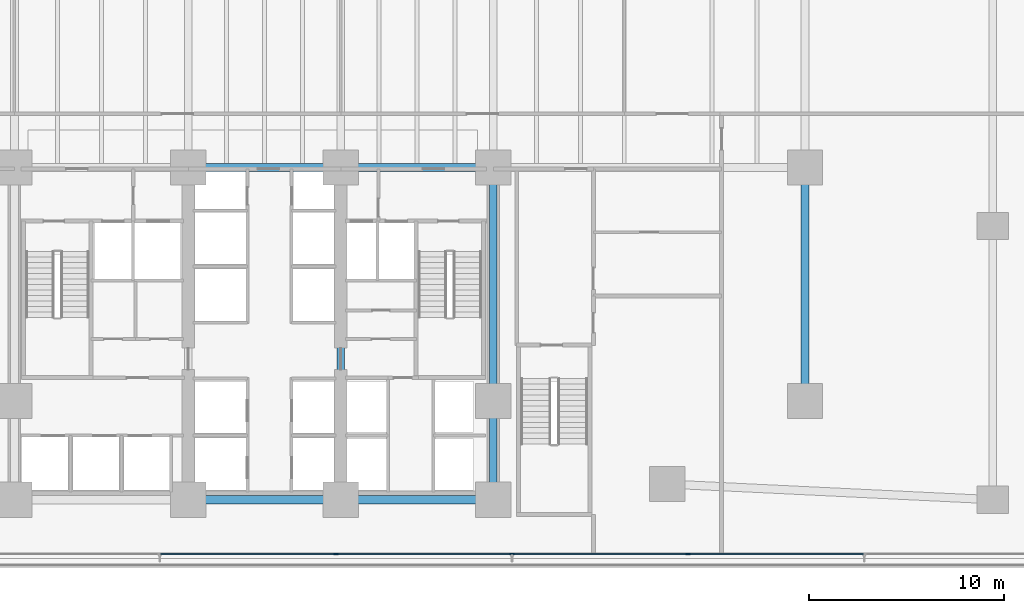
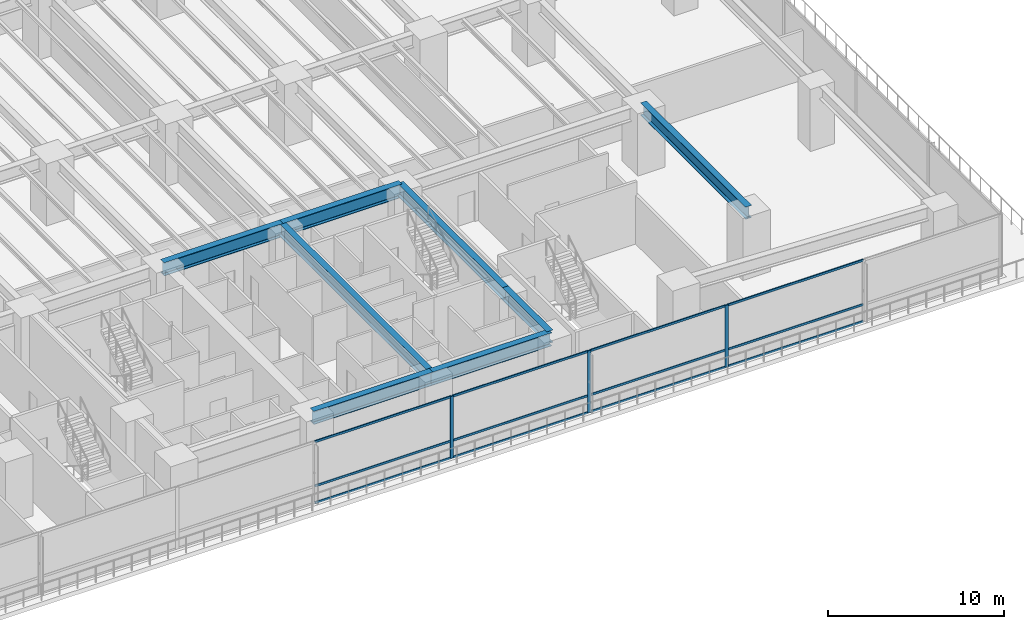
# One storey, part 3 of 28: 15 members, 8 beams, 1 element without a shape of its own.
"""IFC4 building model written with IfcOpenShell, lengths in metres."""

from ifc_helpers import new_model, si_unit, direction, frame, origin, origin_2d, place, context, subcontext, project, spatial, rectangle, i_section, extrude, material, layer, layer_set, material_profile, profile_set, type_object, element, aggregate, save


model = new_model("IFC4")

# Units and contexts
model_context = context("Model", 3, precision=1e-05, world=origin(), true_north=direction((0.0, 1.0)))
body_context = subcontext(model_context, "Body", "Model", "MODEL_VIEW")
ifc_project = project(units=[si_unit("LENGTHUNIT", "METRE"), si_unit("AREAUNIT", "SQUARE_METRE"), si_unit("VOLUMEUNIT", "CUBIC_METRE"), si_unit("PLANEANGLEUNIT", "RADIAN"), si_unit("MASSUNIT", "GRAM", prefix="KILO")], contexts=[model_context])

# Site, building, storey
site_placement = place(None, origin())
site = spatial("IfcSite", under=ifc_project, at=site_placement, CompositionType="ELEMENT")
building_placement = place(site_placement, origin())
building = spatial("IfcBuilding", under=site, at=building_placement, Name="Qalmaran Belvedere Hotel", CompositionType="ELEMENT")
storey_placement = place(building_placement, frame((0.0, 0.0, 10.0)))
storey = spatial("IfcBuildingStorey", under=building, at=storey_placement, Name="L02", CompositionType="ELEMENT", Elevation=10.0)

# Beams
ifc_material_1 = material(Name="Steel S355JR", Category="steel")
ifc_material_profile_1 = material_profile(ifc_material_1, i_section(OverallWidth=0.419921875, OverallDepth=0.9208984375, WebThickness=0.021240234375, FlangeThickness=0.03662109375, FilletRadius=0.02392578125, at=origin_2d()), Name="W920X387")
ifc_profile_set_1 = profile_set([ifc_material_profile_1], Name="Steel S355JR")
beam_type_1 = type_object("IfcBeamType", Name="BM-PG1-W920X387", PredefinedType="USERDEFINED", material=ifc_profile_set_1)
for number, where, z_axis, x_axis, name in (
    (1, (29.199951171875, 3.5, 3.839599609375), (1.0, 0.0, 0.0), (0.0, 1.0, 0.0), "L02 Podium Primary Girder GX03"),
    (2, (37.0, 3.5, 3.839599609375), (1.0, 0.0, 0.0), (0.0, 1.0, 0.0), "L02 Podium Primary Girder GX04"),
    (3, (29.199951171875, 20.5, 3.839599609375), (1.0, 0.0, 0.0), (0.0, 1.0, 0.0), "L02 Podium Primary Girder GX11"),
    (4, (37.0, 20.5, 3.839599609375), (1.0, 0.0, 0.0), (0.0, 1.0, 0.0), "L02 Podium Primary Girder GX12"),
):
    element("IfcBeam", number, at=place(storey_placement, frame(where, z_axis=z_axis, x_axis=x_axis)), inside=storey, type_object=beam_type_1, Name=name, ObjectType="GIRDER", PredefinedType="USERDEFINED", context=body_context, shape_type="SweptSolid", body=[
        extrude(i_section(OverallWidth=0.419921875, OverallDepth=0.9208984375, WebThickness=0.021240234375, FlangeThickness=0.03662109375, FilletRadius=0.02392578125, at=origin_2d()), origin(), (0.0, 0.0, 1.0), 7.800048828125),
    ])
ifc_material_profile_2 = material_profile(ifc_material_1, i_section(OverallWidth=0.39990234375, OverallDepth=0.85498046875, WebThickness=0.018310546875, FlangeThickness=0.029296875, FilletRadius=0.02392578125, at=origin_2d()), Name="W840X299")
ifc_profile_set_2 = profile_set([ifc_material_profile_2], Name="Steel S355JR")
beam_type_2 = type_object("IfcBeamType", Name="BM-PG3-W840X299", PredefinedType="USERDEFINED", material=ifc_profile_set_2)
beam_1_placement = place(storey_placement, frame((37.0, 3.5, 3.87255859375), z_axis=(0.0, 1.0, 0.0), x_axis=(-1.0, 0.0, 0.0)))
element("IfcBeam", 5, at=beam_1_placement, inside=storey, type_object=beam_type_2, Name="L02 Podium Transverse Girder GY40", ObjectType="GIRDER", PredefinedType="USERDEFINED", context=body_context, shape_type="SweptSolid", body=[
    extrude(i_section(OverallWidth=0.39990234375, OverallDepth=0.85498046875, WebThickness=0.018310546875, FlangeThickness=0.029296875, FilletRadius=0.02392578125, at=origin_2d()), origin(), (0.0, 0.0, 1.0), 17.0),
])
beam_2_placement = place(storey_placement, frame((44.800048828125, 3.5, 3.87255859375), z_axis=(0.0, 1.0, 0.0), x_axis=(-1.0, 0.0, 0.0)))
element("IfcBeam", 6, at=beam_2_placement, inside=storey, type_object=beam_type_2, Name="L02 Podium Transverse Girder GY43", ObjectType="GIRDER", PredefinedType="USERDEFINED", context=body_context, shape_type="SweptSolid", body=[
    extrude(i_section(OverallWidth=0.39990234375, OverallDepth=0.85498046875, WebThickness=0.018310546875, FlangeThickness=0.029296875, FilletRadius=0.02392578125, at=origin_2d()), origin(), (0.0, 0.0, 1.0), 5.050048828125),
])
for number, where, z_axis, x_axis, name in (
    (7, (44.800048828125, 8.550048828125, 3.87255859375), (0.0, 1.0, 0.0), (-1.0, 0.0, 0.0), "L02 Podium Transverse Girder GY44"),
    (8, (60.75, 8.550048828125, 3.87255859375), (0.0, 1.0, 0.0), (-1.0, 0.0, 0.0), "L02 Podium Transverse Girder GY48"),
):
    element("IfcBeam", number, at=place(storey_placement, frame(where, z_axis=z_axis, x_axis=x_axis)), inside=storey, type_object=beam_type_2, Name=name, ObjectType="GIRDER", PredefinedType="USERDEFINED", context=body_context, shape_type="SweptSolid", body=[
        extrude(i_section(OverallWidth=0.39990234375, OverallDepth=0.85498046875, WebThickness=0.018310546875, FlangeThickness=0.029296875, FilletRadius=0.02392578125, at=origin_2d()), origin(), (0.0, 0.0, 1.0), 11.949951171875),
    ])

# Curtain wall, members
ifc_material_2 = material(Name="Anodised Bronze Aluminium", Category="aluminium")
ifc_layer = layer(ifc_material_2, 0.219970703125, Name="Anodised Bronze Aluminium")
ifc_layer_set = layer_set([ifc_layer], Name="Anodised Bronze Aluminium")
curtain_wall_type = type_object("IfcCurtainWallType", Name="CW1-PODIUM-BRONZE", PredefinedType="NOTDEFINED", material=ifc_layer_set)
curtain_wall_placement = place(storey_placement, origin())
curtain_wall = element("IfcCurtainWall", 9, at=curtain_wall_placement, inside=storey, type_object=curtain_wall_type, Name="L02 Curtain Wall CW1", PredefinedType="NOTDEFINED")
ifc_material_profile_3 = material_profile(ifc_material_2, rectangle(XDim=0.074951171875, YDim=0.219970703125, at=origin_2d()), Name="CWM75X220")
ifc_profile_set_3 = profile_set([ifc_material_profile_3], Name="Anodised Bronze Aluminium")
member_type_1 = type_object("IfcMemberType", Name="CWM-75X220", PredefinedType="MULLION", material=ifc_profile_set_3)
member_1_placement = place(storey_placement, frame((36.75, 0.719970703125, 0.0), z_axis=(0.0, 0.0, 1.0), x_axis=(0.0, 1.0, 0.0)))
member_1 = element("IfcMember", 10, at=member_1_placement, type_object=member_type_1, Name="CW1 mullion 5", PredefinedType="MULLION", context=body_context, shape_type="SweptSolid", body=[
    extrude(rectangle(XDim=0.074951171875, YDim=0.219970703125, at=origin_2d()), origin(), (0.0, 0.0, 1.0), 4.300048828125),
])
member_2_placement = place(storey_placement, frame((45.757568359375, 0.719970703125, 0.0), z_axis=(0.0, 0.0, 1.0), x_axis=(0.0, 1.0, 0.0)))
member_2 = element("IfcMember", 11, at=member_2_placement, type_object=member_type_1, Name="CW1 mullion 6", PredefinedType="MULLION", context=body_context, shape_type="SweptSolid", body=[
    extrude(rectangle(XDim=0.074951171875, YDim=0.219970703125, at=origin_2d()), origin(), (0.0, 0.0, 1.0), 4.300048828125),
])
member_3_placement = place(storey_placement, frame((54.764892578125, 0.719970703125, 0.0), z_axis=(0.0, 0.0, 1.0), x_axis=(0.0, 1.0, 0.0)))
member_3 = element("IfcMember", 12, at=member_3_placement, type_object=member_type_1, Name="CW1 mullion 7", PredefinedType="MULLION", context=body_context, shape_type="SweptSolid", body=[
    extrude(rectangle(XDim=0.074951171875, YDim=0.219970703125, at=origin_2d()), origin(), (0.0, 0.0, 1.0), 4.300048828125),
])
ifc_material_profile_4 = material_profile(ifc_material_2, rectangle(XDim=0.070068359375, YDim=0.14990234375, at=origin_2d()), Name="CWT70X150")
ifc_profile_set_4 = profile_set([ifc_material_profile_4], Name="Anodised Bronze Aluminium")
member_type_2 = type_object("IfcMemberType", Name="CWT-70X150", PredefinedType="USERDEFINED", material=ifc_profile_set_4)
member_4_placement = place(storey_placement, frame((27.780029296875, 0.719970703125, 0.034912109375), z_axis=(1.0, 0.0, 0.0), x_axis=(0.0, 1.0, 0.0)))
member_4 = element("IfcMember", 13, at=member_4_placement, type_object=member_type_2, Name="CW1 transom 4.1", ObjectType="TRANSOM", PredefinedType="USERDEFINED", context=body_context, shape_type="SweptSolid", body=[
    extrude(rectangle(XDim=0.070068359375, YDim=0.14990234375, at=origin_2d()), origin(), (0.0, 0.0, 1.0), 8.932373046875),
])
member_5_placement = place(storey_placement, frame((27.780029296875, 0.719970703125, 1.2041015625), z_axis=(1.0, 0.0, 0.0), x_axis=(0.0, 1.0, 0.0)))
member_5 = element("IfcMember", 14, at=member_5_placement, type_object=member_type_2, Name="CW1 transom 4.2", ObjectType="TRANSOM", PredefinedType="USERDEFINED", context=body_context, shape_type="SweptSolid", body=[
    extrude(rectangle(XDim=0.070068359375, YDim=0.14990234375, at=origin_2d()), origin(), (0.0, 0.0, 1.0), 8.932373046875),
])
member_6_placement = place(storey_placement, frame((27.780029296875, 0.719970703125, 4.264892578125), z_axis=(1.0, 0.0, 0.0), x_axis=(0.0, 1.0, 0.0)))
member_6 = element("IfcMember", 15, at=member_6_placement, type_object=member_type_2, Name="CW1 transom 4.3", ObjectType="TRANSOM", PredefinedType="USERDEFINED", context=body_context, shape_type="SweptSolid", body=[
    extrude(rectangle(XDim=0.070068359375, YDim=0.14990234375, at=origin_2d()), origin(), (0.0, 0.0, 1.0), 8.932373046875),
])
member_7_placement = place(storey_placement, frame((36.78759765625, 0.719970703125, 0.034912109375), z_axis=(1.0, 0.0, 0.0), x_axis=(0.0, 1.0, 0.0)))
member_7 = element("IfcMember", 16, at=member_7_placement, type_object=member_type_2, Name="CW1 transom 5.1", ObjectType="TRANSOM", PredefinedType="USERDEFINED", context=body_context, shape_type="SweptSolid", body=[
    extrude(rectangle(XDim=0.070068359375, YDim=0.14990234375, at=origin_2d()), origin(), (0.0, 0.0, 1.0), 8.932373046875),
])
member_8_placement = place(storey_placement, frame((36.78759765625, 0.719970703125, 1.2041015625), z_axis=(1.0, 0.0, 0.0), x_axis=(0.0, 1.0, 0.0)))
member_8 = element("IfcMember", 17, at=member_8_placement, type_object=member_type_2, Name="CW1 transom 5.2", ObjectType="TRANSOM", PredefinedType="USERDEFINED", context=body_context, shape_type="SweptSolid", body=[
    extrude(rectangle(XDim=0.070068359375, YDim=0.14990234375, at=origin_2d()), origin(), (0.0, 0.0, 1.0), 8.932373046875),
])
member_9_placement = place(storey_placement, frame((36.78759765625, 0.719970703125, 4.264892578125), z_axis=(1.0, 0.0, 0.0), x_axis=(0.0, 1.0, 0.0)))
member_9 = element("IfcMember", 18, at=member_9_placement, type_object=member_type_2, Name="CW1 transom 5.3", ObjectType="TRANSOM", PredefinedType="USERDEFINED", context=body_context, shape_type="SweptSolid", body=[
    extrude(rectangle(XDim=0.070068359375, YDim=0.14990234375, at=origin_2d()), origin(), (0.0, 0.0, 1.0), 8.932373046875),
])
member_10_placement = place(storey_placement, frame((45.794921875, 0.719970703125, 0.034912109375), z_axis=(1.0, 0.0, 0.0), x_axis=(0.0, 1.0, 0.0)))
member_10 = element("IfcMember", 19, at=member_10_placement, type_object=member_type_2, Name="CW1 transom 6.1", ObjectType="TRANSOM", PredefinedType="USERDEFINED", context=body_context, shape_type="SweptSolid", body=[
    extrude(rectangle(XDim=0.070068359375, YDim=0.14990234375, at=origin_2d()), origin(), (0.0, 0.0, 1.0), 8.9326171875),
])
member_11_placement = place(storey_placement, frame((45.794921875, 0.719970703125, 1.2041015625), z_axis=(1.0, 0.0, 0.0), x_axis=(0.0, 1.0, 0.0)))
member_11 = element("IfcMember", 20, at=member_11_placement, type_object=member_type_2, Name="CW1 transom 6.2", ObjectType="TRANSOM", PredefinedType="USERDEFINED", context=body_context, shape_type="SweptSolid", body=[
    extrude(rectangle(XDim=0.070068359375, YDim=0.14990234375, at=origin_2d()), origin(), (0.0, 0.0, 1.0), 8.9326171875),
])
member_12_placement = place(storey_placement, frame((45.794921875, 0.719970703125, 4.264892578125), z_axis=(1.0, 0.0, 0.0), x_axis=(0.0, 1.0, 0.0)))
member_12 = element("IfcMember", 21, at=member_12_placement, type_object=member_type_2, Name="CW1 transom 6.3", ObjectType="TRANSOM", PredefinedType="USERDEFINED", context=body_context, shape_type="SweptSolid", body=[
    extrude(rectangle(XDim=0.070068359375, YDim=0.14990234375, at=origin_2d()), origin(), (0.0, 0.0, 1.0), 8.9326171875),
])
member_13_placement = place(storey_placement, frame((54.802490234375, 0.719970703125, 0.034912109375), z_axis=(1.0, 0.0, 0.0), x_axis=(0.0, 1.0, 0.0)))
member_13 = element("IfcMember", 22, at=member_13_placement, type_object=member_type_2, Name="CW1 transom 7.1", ObjectType="TRANSOM", PredefinedType="USERDEFINED", context=body_context, shape_type="SweptSolid", body=[
    extrude(rectangle(XDim=0.070068359375, YDim=0.14990234375, at=origin_2d()), origin(), (0.0, 0.0, 1.0), 8.9326171875),
])
member_14_placement = place(storey_placement, frame((54.802490234375, 0.719970703125, 1.2041015625), z_axis=(1.0, 0.0, 0.0), x_axis=(0.0, 1.0, 0.0)))
member_14 = element("IfcMember", 23, at=member_14_placement, type_object=member_type_2, Name="CW1 transom 7.2", ObjectType="TRANSOM", PredefinedType="USERDEFINED", context=body_context, shape_type="SweptSolid", body=[
    extrude(rectangle(XDim=0.070068359375, YDim=0.14990234375, at=origin_2d()), origin(), (0.0, 0.0, 1.0), 8.9326171875),
])
member_15_placement = place(storey_placement, frame((54.802490234375, 0.719970703125, 4.264892578125), z_axis=(1.0, 0.0, 0.0), x_axis=(0.0, 1.0, 0.0)))
member_15 = element("IfcMember", 24, at=member_15_placement, type_object=member_type_2, Name="CW1 transom 7.3", ObjectType="TRANSOM", PredefinedType="USERDEFINED", context=body_context, shape_type="SweptSolid", body=[
    extrude(rectangle(XDim=0.070068359375, YDim=0.14990234375, at=origin_2d()), origin(), (0.0, 0.0, 1.0), 8.9326171875),
])
aggregate(curtain_wall, [member_1, member_2, member_3, member_4, member_5, member_6, member_7, member_8, member_9, member_10, member_11, member_12, member_13, member_14, member_15])

save(model, "model.ifc")
